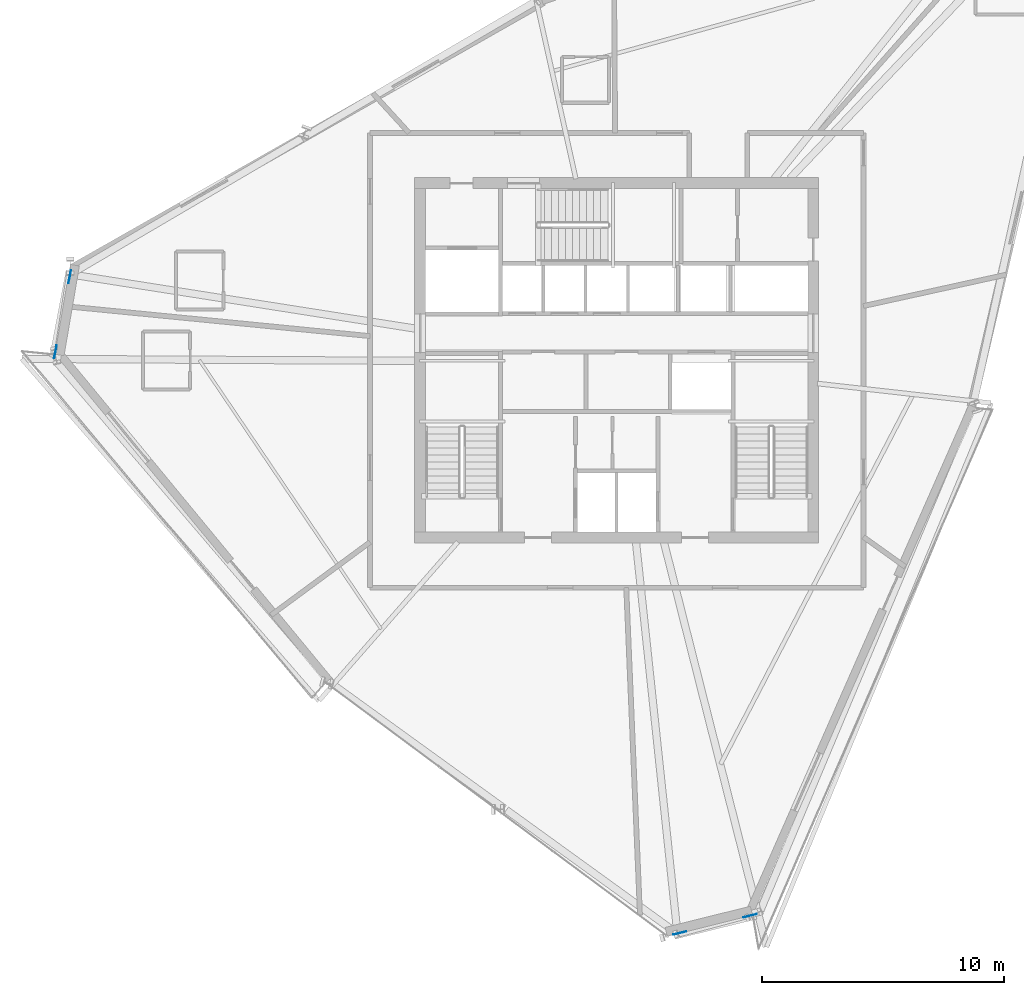
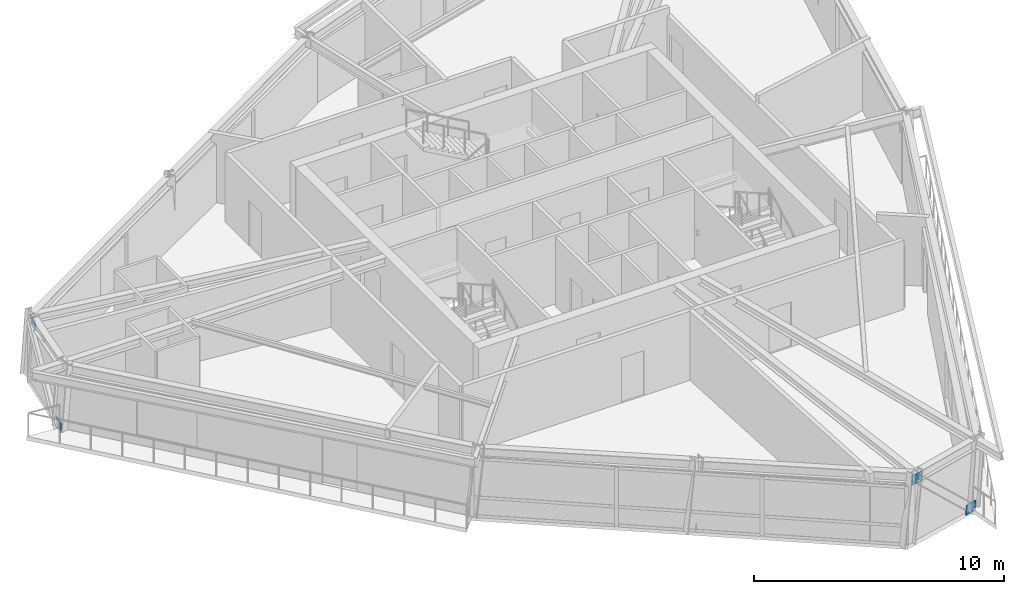
# One storey, part 6 of 14: 4 plates.
"""IFC4 building model written with IfcOpenShell, lengths in metres."""

from ifc_helpers import new_model, si_unit, direction, frame, origin, origin_2d, place, context, subcontext, project, spatial, rectangle, extrude, source, transform, mapped, material, type_object, element, save


model = new_model("IFC4")

# Units and contexts
model_context = context("Model", 3, precision=1e-05, world=origin(), true_north=direction((0.0, 1.0)))
body_context = subcontext(model_context, "Body", "Model", "MODEL_VIEW")
ifc_project = project(units=[si_unit("LENGTHUNIT", "METRE"), si_unit("AREAUNIT", "SQUARE_METRE"), si_unit("VOLUMEUNIT", "CUBIC_METRE"), si_unit("PLANEANGLEUNIT", "RADIAN"), si_unit("MASSUNIT", "GRAM", prefix="KILO")], contexts=[model_context])

# Site, building, storey
site_placement = place(None, origin())
site = spatial("IfcSite", under=ifc_project, at=site_placement, CompositionType="ELEMENT")
building_placement = place(site_placement, origin())
building = spatial("IfcBuilding", under=site, at=building_placement, Name="Olszyna Solenne Hotel", CompositionType="ELEMENT")
storey_placement = place(building_placement, frame((0.0, 0.0, 230.89990234375)))
storey = spatial("IfcBuildingStorey", under=building, at=storey_placement, Name="L61", CompositionType="ELEMENT", Elevation=230.89990234375)

# Plates
ifc_material = material(Name="Steel S355J2", Category="steel")
plate_type = type_object("IfcPlateType", Name="GP-ND2", PredefinedType="USERDEFINED", material=ifc_material)
shared_shape = source(origin(), body_context, "Body", "SweptSolid", [
    extrude(rectangle(XDim=0.56005859375, YDim=0.02001953125, at=origin_2d()), origin(), (0.0, 0.0, 1.0), 0.47998046875),
])
for number, where, z_axis, x_axis, name in (
    (1, (14.79541015625, 26.951416015625, -0.135009765625), (0.0, 0.0, 1.0), (0.187381314586, 0.982287250729, 0.0), "Brace end connection gusset plate GP-ND2 EP-BR-L61-2-1"),
    (2, (15.38671875, 30.052978515625, 2.770263671875), (0.0, 0.0, 1.0), (0.187381314586, 0.982287250729, 0.0), "Brace end connection gusset plate GP-ND2 EP-BR-L61-2-2"),
    (3, (43.515625, 3.63623046875, -0.132568359375), (0.0, 0.0, 1.0), (-0.971092633177, -0.238702948851, 0.0), "Brace end connection gusset plate GP-ND2 EP-BR-L61-3-1"),
    (4, (40.608154296875, 2.921630859375, 2.767822265625), (0.0, 0.0, 1.0), (-0.971092633177, -0.238702948851, 0.0), "Brace end connection gusset plate GP-ND2 EP-BR-L61-3-2"),
):
    element("IfcPlate", number, at=place(storey_placement, frame(where, z_axis=z_axis, x_axis=x_axis)), inside=storey, type_object=plate_type, Name=name, ObjectType="GUSSET_PLATE", PredefinedType="USERDEFINED", context=body_context, shape_type="MappedRepresentation", body=[
        mapped(shared_shape, transform((0.0, 0.0, 0.0), x_axis=(1.0, 0.0, 0.0), y_axis=(0.0, 1.0, 0.0), z_axis=(0.0, 0.0, 1.0), scale=1.0)),
    ])

save(model, "model.ifc")
